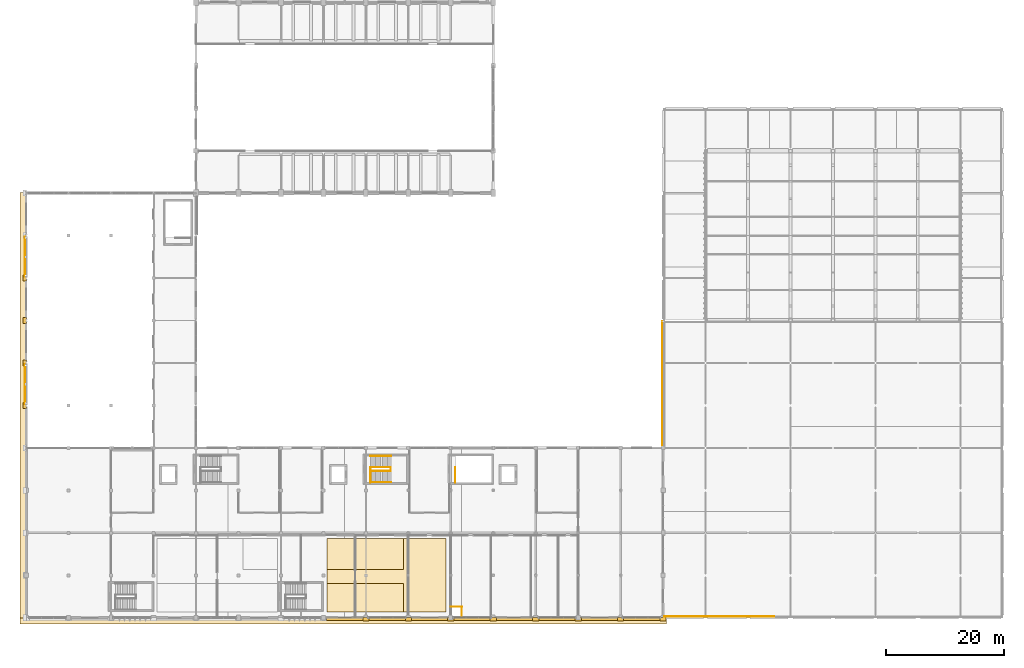
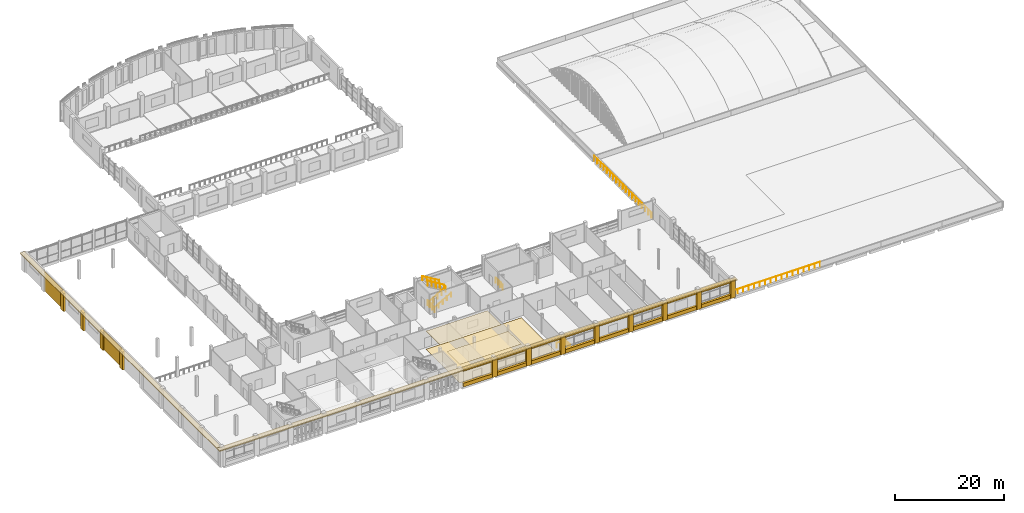
# One storey, part 60 of 71: 35 coverings, 11 railings.
"""IFC4 building model written with IfcOpenShell, lengths in metres."""

from ifc_helpers import new_model, si_unit, direction, frame, frame_2d, origin, origin_2d, place, context, subcontext, project, spatial, polyline, rectangle, circle, outline, extrude, material, layer, layer_set, type_object, element, save


model = new_model("IFC4")

# Units and contexts
model_context = context("Model", 3, precision=1e-05, world=origin(), true_north=direction((0.0, 1.0)))
body_context = subcontext(model_context, "Body", "Model", "MODEL_VIEW")
ifc_project = project(units=[si_unit("LENGTHUNIT", "METRE"), si_unit("AREAUNIT", "SQUARE_METRE"), si_unit("VOLUMEUNIT", "CUBIC_METRE"), si_unit("PLANEANGLEUNIT", "RADIAN"), si_unit("MASSUNIT", "GRAM", prefix="KILO")], contexts=[model_context])

# Site, building, storey
site_placement = place(None, origin())
site = spatial("IfcSite", under=ifc_project, at=site_placement, CompositionType="ELEMENT")
building_placement = place(site_placement, origin())
building = spatial("IfcBuilding", under=site, at=building_placement, Name="Sardonyx Promenade Sports Hall", CompositionType="ELEMENT")
storey_placement = place(building_placement, frame((0.0, 0.0, 16.0)))
storey = spatial("IfcBuildingStorey", under=building, at=storey_placement, Name="L03", CompositionType="ELEMENT", Elevation=16.0)

# Coverings
ifc_material_1 = material(Name="Perforated acoustic mineral-fibre baffle ceiling", Category="other")
ifc_layer_1 = layer(ifc_material_1, 0.0400390625)
ifc_layer_set_1 = layer_set([ifc_layer_1], Name="Cov_Ceil_Acoustic")
covering_type_1 = type_object("IfcCoveringType", Name="Cov_Ceil_Acoustic", PredefinedType="CEILING", material=ifc_layer_set_1)
covering_1_placement = place(storey_placement, frame((0.0, 0.0, 4.10009765625)))
element("IfcCovering", 1, at=covering_1_placement, inside=storey, type_object=covering_type_1, Name="Acoustic baffle ceiling CLG1 L03 #22", PredefinedType="CEILING", context=body_context, shape_type="SweptSolid", body=[
    extrude(outline(polyline([(51.0, 5.800048828125), (51.0, 1.0), (64.0, 1.0), (64.0, 5.800048828125), (51.0, 5.800048828125)])), origin(), (0.0, 0.0, 1.0), 0.039794921875),
])
covering_2_placement = place(storey_placement, frame((0.0, 0.0, 4.090087890625)))
element("IfcCovering", 2, at=covering_2_placement, inside=storey, type_object=covering_type_1, Name="Acoustic baffle ceiling CLG1 L03 #24", PredefinedType="CEILING", context=body_context, shape_type="SweptSolid", body=[
    extrude(outline(polyline([(51.0, 13.39990234375), (51.0, 8.199951171875), (64.0, 8.199951171875), (64.0, 13.39990234375), (51.0, 13.39990234375)])), origin(), (0.0, 0.0, 1.0), 0.039794921875),
])
ifc_material_2 = material(Name="Dressed Cape red sandstone cornice", Category="masonry")
ifc_layer_2 = layer(ifc_material_2, 0.139892578125)
ifc_layer_set_2 = layer_set([ifc_layer_2], Name="Cov_Chhajja_Eave")
covering_type_2 = type_object("IfcCoveringType", Name="Cov_Chhajja_Eave", PredefinedType="MOLDING", material=ifc_layer_set_2)
covering_3_placement = place(storey_placement, frame((0.0, 0.0, 4.050048828125)))
element("IfcCovering", 3, at=covering_3_placement, inside=storey, type_object=covering_type_2, Name="South wing L03 chhajja cornice", PredefinedType="MOLDING", context=body_context, shape_type="SweptSolid", body=[
    extrude(outline(polyline([(-1.050048828125, -1.050048828125), (108.60009765625, -1.050048828125), (108.60009765625, 0.050048828125), (-1.050048828125, 0.050048828125), (-1.050048828125, -1.050048828125)])), origin(), (0.0, 0.0, 1.0), 0.219970703125),
])
covering_4_placement = place(storey_placement, frame((0.0, 0.0, 4.050048828125)))
element("IfcCovering", 4, at=covering_4_placement, inside=storey, type_object=covering_type_2, Name="West climbing L03 chhajja cornice", PredefinedType="MOLDING", context=body_context, shape_type="SweptSolid", body=[
    extrude(outline(polyline([(-1.050048828125, 0.0), (0.050048828125, 0.0), (0.050048828125, 72.10009765625), (-1.050048828125, 72.10009765625), (-1.050048828125, 0.0)])), origin(), (0.0, 0.0, 1.0), 0.219970703125),
])
ifc_material_3 = material(Name="Dressed Cape red sandstone ashlar", Category="masonry")
ifc_layer_3 = layer(ifc_material_3, 0.06005859375)
ifc_layer_set_3 = layer_set([ifc_layer_3], Name="Cov_Cladding_Sandstone")
covering_type_3 = type_object("IfcCoveringType", Name="Cov_Cladding_Sandstone", PredefinedType="CLADDING", material=ifc_layer_set_3)
for number, where, z_axis, x_axis, name in (
    (5, (-0.18505859375, 36.205078125, 0.050048828125), (0.0, 0.0, 1.0), (0.0, 1.0, 0.0), "Dressed sandstone ashlar cladding L03 #163"),
    (6, (-0.18505859375, 57.804931640625, 0.050048828125), (0.0, 0.0, 1.0), (0.0, 1.0, 0.0), "Dressed sandstone ashlar cladding L03 #166"),
):
    element("IfcCovering", number, at=place(storey_placement, frame(where, z_axis=z_axis, x_axis=x_axis)), inside=storey, type_object=covering_type_3, Name=name, PredefinedType="CLADDING", context=body_context, shape_type="SweptSolid", body=[
        extrude(rectangle(XDim=6.7900390625, YDim=0.050048828125, at=frame_2d((3.39501953125, 0.0))), origin(), (0.0, 0.0, 1.0), 4.300048828125),
    ])
covering_5_placement = place(storey_placement, origin())
element("IfcCovering", 7, at=covering_5_placement, inside=storey, type_object=covering_type_3, Name="South sandstone bay pier casing L03 #8", PredefinedType="CLADDING", context=body_context, shape_type="SweptSolid", body=[
    extrude(outline(polyline([(57.080078125, -0.52001953125), (58.1201171875, -0.52001953125), (58.1201171875, 0.02001953125), (57.080078125, 0.02001953125), (57.080078125, -0.52001953125)])), origin(), (0.0, 0.0, 1.0), 4.050048828125),
])
covering_6_placement = place(storey_placement, origin())
element("IfcCovering", 8, at=covering_6_placement, inside=storey, type_object=covering_type_3, Name="South sandstone bay pier casing L03 #9", PredefinedType="CLADDING", context=body_context, shape_type="SweptSolid", body=[
    extrude(outline(polyline([(64.280029296875, -0.52001953125), (65.320068359375, -0.52001953125), (65.320068359375, 0.02001953125), (64.280029296875, 0.02001953125), (64.280029296875, -0.52001953125)])), origin(), (0.0, 0.0, 1.0), 4.050048828125),
])
covering_7_placement = place(storey_placement, origin())
element("IfcCovering", 9, at=covering_7_placement, inside=storey, type_object=covering_type_3, Name="South sandstone bay pier casing L03 #10", PredefinedType="CLADDING", context=body_context, shape_type="SweptSolid", body=[
    extrude(outline(polyline([(71.47998046875, -0.52001953125), (72.52001953125, -0.52001953125), (72.52001953125, 0.02001953125), (71.47998046875, 0.02001953125), (71.47998046875, -0.52001953125)])), origin(), (0.0, 0.0, 1.0), 4.050048828125),
])
covering_8_placement = place(storey_placement, origin())
element("IfcCovering", 10, at=covering_8_placement, inside=storey, type_object=covering_type_3, Name="South sandstone bay pier casing L03 #11", PredefinedType="CLADDING", context=body_context, shape_type="SweptSolid", body=[
    extrude(outline(polyline([(78.679931640625, -0.52001953125), (79.719970703125, -0.52001953125), (79.719970703125, 0.02001953125), (78.679931640625, 0.02001953125), (78.679931640625, -0.52001953125)])), origin(), (0.0, 0.0, 1.0), 4.050048828125),
])
covering_9_placement = place(storey_placement, origin())
element("IfcCovering", 11, at=covering_9_placement, inside=storey, type_object=covering_type_3, Name="South sandstone bay pier casing L03 #12", PredefinedType="CLADDING", context=body_context, shape_type="SweptSolid", body=[
    extrude(outline(polyline([(85.8798828125, -0.52001953125), (86.919921875, -0.52001953125), (86.919921875, 0.02001953125), (85.8798828125, 0.02001953125), (85.8798828125, -0.52001953125)])), origin(), (0.0, 0.0, 1.0), 4.050048828125),
])
covering_10_placement = place(storey_placement, origin())
element("IfcCovering", 12, at=covering_10_placement, inside=storey, type_object=covering_type_3, Name="South sandstone bay pier casing L03 #13", PredefinedType="CLADDING", context=body_context, shape_type="SweptSolid", body=[
    extrude(outline(polyline([(93.080078125, -0.52001953125), (94.1201171875, -0.52001953125), (94.1201171875, 0.02001953125), (93.080078125, 0.02001953125), (93.080078125, -0.52001953125)])), origin(), (0.0, 0.0, 1.0), 4.050048828125),
])
covering_11_placement = place(storey_placement, origin())
element("IfcCovering", 13, at=covering_11_placement, inside=storey, type_object=covering_type_3, Name="South sandstone bay pier casing L03 #14", PredefinedType="CLADDING", context=body_context, shape_type="SweptSolid", body=[
    extrude(outline(polyline([(100.280029296875, -0.52001953125), (101.320068359375, -0.52001953125), (101.320068359375, 0.02001953125), (100.280029296875, 0.02001953125), (100.280029296875, -0.52001953125)])), origin(), (0.0, 0.0, 1.0), 4.050048828125),
])
covering_12_placement = place(storey_placement, origin())
element("IfcCovering", 14, at=covering_12_placement, inside=storey, type_object=covering_type_3, Name="South sandstone bay pier casing L03 #15", PredefinedType="CLADDING", context=body_context, shape_type="SweptSolid", body=[
    extrude(outline(polyline([(107.47998046875, -0.52001953125), (108.52001953125, -0.52001953125), (108.52001953125, 0.02001953125), (107.47998046875, 0.02001953125), (107.47998046875, -0.52001953125)])), origin(), (0.0, 0.0, 1.0), 4.050048828125),
])
covering_13_placement = place(storey_placement, origin())
element("IfcCovering", 15, at=covering_13_placement, inside=storey, type_object=covering_type_3, Name="South sandstone sill spandrel L03 #0", PredefinedType="CLADDING", context=body_context, shape_type="SweptSolid", body=[
    extrude(outline(polyline([(101.320068359375, -0.4599609375), (107.47998046875, -0.4599609375), (107.47998046875, 0.02001953125), (101.320068359375, 0.02001953125), (101.320068359375, -0.4599609375)])), origin(), (0.0, 0.0, 1.0), 0.820068359375),
])
covering_14_placement = place(storey_placement, frame((0.0, 0.0, 3.5)))
element("IfcCovering", 16, at=covering_14_placement, inside=storey, type_object=covering_type_3, Name="South sandstone lintel frieze L03 #0", PredefinedType="CLADDING", context=body_context, shape_type="SweptSolid", body=[
    extrude(outline(polyline([(101.320068359375, -0.4599609375), (107.47998046875, -0.4599609375), (107.47998046875, 0.02001953125), (101.320068359375, 0.02001953125), (101.320068359375, -0.4599609375)])), origin(), (0.0, 0.0, 1.0), 0.550048828125),
])
covering_15_placement = place(storey_placement, origin())
element("IfcCovering", 17, at=covering_15_placement, inside=storey, type_object=covering_type_3, Name="South sandstone sill spandrel L03 #1", PredefinedType="CLADDING", context=body_context, shape_type="SweptSolid", body=[
    extrude(outline(polyline([(94.1201171875, -0.4599609375), (100.280029296875, -0.4599609375), (100.280029296875, 0.02001953125), (94.1201171875, 0.02001953125), (94.1201171875, -0.4599609375)])), origin(), (0.0, 0.0, 1.0), 0.820068359375),
])
covering_16_placement = place(storey_placement, frame((0.0, 0.0, 3.5)))
element("IfcCovering", 18, at=covering_16_placement, inside=storey, type_object=covering_type_3, Name="South sandstone lintel frieze L03 #1", PredefinedType="CLADDING", context=body_context, shape_type="SweptSolid", body=[
    extrude(outline(polyline([(94.1201171875, -0.4599609375), (100.280029296875, -0.4599609375), (100.280029296875, 0.02001953125), (94.1201171875, 0.02001953125), (94.1201171875, -0.4599609375)])), origin(), (0.0, 0.0, 1.0), 0.550048828125),
])
covering_17_placement = place(storey_placement, origin())
element("IfcCovering", 19, at=covering_17_placement, inside=storey, type_object=covering_type_3, Name="South sandstone sill spandrel L03 #2", PredefinedType="CLADDING", context=body_context, shape_type="SweptSolid", body=[
    extrude(outline(polyline([(86.919921875, -0.4599609375), (93.080078125, -0.4599609375), (93.080078125, 0.02001953125), (86.919921875, 0.02001953125), (86.919921875, -0.4599609375)])), origin(), (0.0, 0.0, 1.0), 0.820068359375),
])
covering_18_placement = place(storey_placement, frame((0.0, 0.0, 3.5)))
element("IfcCovering", 20, at=covering_18_placement, inside=storey, type_object=covering_type_3, Name="South sandstone lintel frieze L03 #2", PredefinedType="CLADDING", context=body_context, shape_type="SweptSolid", body=[
    extrude(outline(polyline([(86.919921875, -0.4599609375), (93.080078125, -0.4599609375), (93.080078125, 0.02001953125), (86.919921875, 0.02001953125), (86.919921875, -0.4599609375)])), origin(), (0.0, 0.0, 1.0), 0.550048828125),
])
covering_19_placement = place(storey_placement, origin())
element("IfcCovering", 21, at=covering_19_placement, inside=storey, type_object=covering_type_3, Name="South sandstone sill spandrel L03 #3", PredefinedType="CLADDING", context=body_context, shape_type="SweptSolid", body=[
    extrude(outline(polyline([(79.719970703125, -0.4599609375), (85.8798828125, -0.4599609375), (85.8798828125, 0.02001953125), (79.719970703125, 0.02001953125), (79.719970703125, -0.4599609375)])), origin(), (0.0, 0.0, 1.0), 0.820068359375),
])
covering_20_placement = place(storey_placement, frame((0.0, 0.0, 3.5)))
element("IfcCovering", 22, at=covering_20_placement, inside=storey, type_object=covering_type_3, Name="South sandstone lintel frieze L03 #3", PredefinedType="CLADDING", context=body_context, shape_type="SweptSolid", body=[
    extrude(outline(polyline([(79.719970703125, -0.4599609375), (85.8798828125, -0.4599609375), (85.8798828125, 0.02001953125), (79.719970703125, 0.02001953125), (79.719970703125, -0.4599609375)])), origin(), (0.0, 0.0, 1.0), 0.550048828125),
])
covering_21_placement = place(storey_placement, origin())
element("IfcCovering", 23, at=covering_21_placement, inside=storey, type_object=covering_type_3, Name="South sandstone sill spandrel L03 #4", PredefinedType="CLADDING", context=body_context, shape_type="SweptSolid", body=[
    extrude(outline(polyline([(72.52001953125, -0.4599609375), (78.679931640625, -0.4599609375), (78.679931640625, 0.02001953125), (72.52001953125, 0.02001953125), (72.52001953125, -0.4599609375)])), origin(), (0.0, 0.0, 1.0), 0.820068359375),
])
covering_22_placement = place(storey_placement, frame((0.0, 0.0, 3.5)))
element("IfcCovering", 24, at=covering_22_placement, inside=storey, type_object=covering_type_3, Name="South sandstone lintel frieze L03 #4", PredefinedType="CLADDING", context=body_context, shape_type="SweptSolid", body=[
    extrude(outline(polyline([(72.52001953125, -0.4599609375), (78.679931640625, -0.4599609375), (78.679931640625, 0.02001953125), (72.52001953125, 0.02001953125), (72.52001953125, -0.4599609375)])), origin(), (0.0, 0.0, 1.0), 0.550048828125),
])
covering_23_placement = place(storey_placement, origin())
element("IfcCovering", 25, at=covering_23_placement, inside=storey, type_object=covering_type_3, Name="South sandstone sill spandrel L03 #5", PredefinedType="CLADDING", context=body_context, shape_type="SweptSolid", body=[
    extrude(outline(polyline([(65.320068359375, -0.4599609375), (71.47998046875, -0.4599609375), (71.47998046875, 0.02001953125), (65.320068359375, 0.02001953125), (65.320068359375, -0.4599609375)])), origin(), (0.0, 0.0, 1.0), 0.820068359375),
])
covering_24_placement = place(storey_placement, frame((0.0, 0.0, 3.5)))
element("IfcCovering", 26, at=covering_24_placement, inside=storey, type_object=covering_type_3, Name="South sandstone lintel frieze L03 #5", PredefinedType="CLADDING", context=body_context, shape_type="SweptSolid", body=[
    extrude(outline(polyline([(65.320068359375, -0.4599609375), (71.47998046875, -0.4599609375), (71.47998046875, 0.02001953125), (65.320068359375, 0.02001953125), (65.320068359375, -0.4599609375)])), origin(), (0.0, 0.0, 1.0), 0.550048828125),
])
covering_25_placement = place(storey_placement, origin())
element("IfcCovering", 27, at=covering_25_placement, inside=storey, type_object=covering_type_3, Name="South sandstone sill spandrel L03 #6", PredefinedType="CLADDING", context=body_context, shape_type="SweptSolid", body=[
    extrude(outline(polyline([(58.1201171875, -0.4599609375), (64.280029296875, -0.4599609375), (64.280029296875, 0.02001953125), (58.1201171875, 0.02001953125), (58.1201171875, -0.4599609375)])), origin(), (0.0, 0.0, 1.0), 0.820068359375),
])
covering_26_placement = place(storey_placement, frame((0.0, 0.0, 3.5)))
element("IfcCovering", 28, at=covering_26_placement, inside=storey, type_object=covering_type_3, Name="South sandstone lintel frieze L03 #6", PredefinedType="CLADDING", context=body_context, shape_type="SweptSolid", body=[
    extrude(outline(polyline([(58.1201171875, -0.4599609375), (64.280029296875, -0.4599609375), (64.280029296875, 0.02001953125), (58.1201171875, 0.02001953125), (58.1201171875, -0.4599609375)])), origin(), (0.0, 0.0, 1.0), 0.550048828125),
])
covering_27_placement = place(storey_placement, origin())
element("IfcCovering", 29, at=covering_27_placement, inside=storey, type_object=covering_type_3, Name="South sandstone sill spandrel L03 #7", PredefinedType="CLADDING", context=body_context, shape_type="SweptSolid", body=[
    extrude(outline(polyline([(50.919921875, -0.4599609375), (57.080078125, -0.4599609375), (57.080078125, 0.02001953125), (50.919921875, 0.02001953125), (50.919921875, -0.4599609375)])), origin(), (0.0, 0.0, 1.0), 0.820068359375),
])
covering_28_placement = place(storey_placement, frame((0.0, 0.0, 3.5)))
element("IfcCovering", 30, at=covering_28_placement, inside=storey, type_object=covering_type_3, Name="South sandstone lintel frieze L03 #7", PredefinedType="CLADDING", context=body_context, shape_type="SweptSolid", body=[
    extrude(outline(polyline([(50.919921875, -0.4599609375), (57.080078125, -0.4599609375), (57.080078125, 0.02001953125), (50.919921875, 0.02001953125), (50.919921875, -0.4599609375)])), origin(), (0.0, 0.0, 1.0), 0.550048828125),
])
covering_29_placement = place(storey_placement, origin())
element("IfcCovering", 31, at=covering_29_placement, inside=storey, type_object=covering_type_3, Name="West sandstone pier casing L03 #5", PredefinedType="CLADDING", context=body_context, shape_type="SweptSolid", body=[
    extrude(outline(polyline([(-0.5, 35.47998046875), (0.02001953125, 35.47998046875), (0.02001953125, 36.52001953125), (-0.5, 36.52001953125), (-0.5, 35.47998046875)])), origin(), (0.0, 0.0, 1.0), 4.050048828125),
])
covering_30_placement = place(storey_placement, origin())
element("IfcCovering", 32, at=covering_30_placement, inside=storey, type_object=covering_type_3, Name="West sandstone pier casing L03 #6", PredefinedType="CLADDING", context=body_context, shape_type="SweptSolid", body=[
    extrude(outline(polyline([(-0.5, 42.679931640625), (0.02001953125, 42.679931640625), (0.02001953125, 43.719970703125), (-0.5, 43.719970703125), (-0.5, 42.679931640625)])), origin(), (0.0, 0.0, 1.0), 4.050048828125),
])
covering_31_placement = place(storey_placement, origin())
element("IfcCovering", 33, at=covering_31_placement, inside=storey, type_object=covering_type_3, Name="West sandstone pier casing L03 #7", PredefinedType="CLADDING", context=body_context, shape_type="SweptSolid", body=[
    extrude(outline(polyline([(-0.5, 49.8798828125), (0.02001953125, 49.8798828125), (0.02001953125, 50.919921875), (-0.5, 50.919921875), (-0.5, 49.8798828125)])), origin(), (0.0, 0.0, 1.0), 4.050048828125),
])
covering_32_placement = place(storey_placement, origin())
element("IfcCovering", 34, at=covering_32_placement, inside=storey, type_object=covering_type_3, Name="West sandstone pier casing L03 #8", PredefinedType="CLADDING", context=body_context, shape_type="SweptSolid", body=[
    extrude(outline(polyline([(-0.5, 57.080078125), (0.02001953125, 57.080078125), (0.02001953125, 58.1201171875), (-0.5, 58.1201171875), (-0.5, 57.080078125)])), origin(), (0.0, 0.0, 1.0), 4.050048828125),
])
ifc_material_4 = material(Name="FIBA Grade 1 sprung maple hardwood court flooring", Category="wood")
ifc_layer_4 = layer(ifc_material_4, 0.044921875)
ifc_layer_set_4 = layer_set([ifc_layer_4], Name="Cov_Floor_Maple")
covering_type_4 = type_object("IfcCoveringType", Name="Cov_Floor_Maple", PredefinedType="FLOORING", material=ifc_layer_set_4)
covering_33_placement = place(storey_placement, origin())
element("IfcCovering", 35, at=covering_33_placement, inside=storey, type_object=covering_type_4, Name="Athletic flooring FLR1 L03 #12", PredefinedType="FLOORING", context=body_context, shape_type="SweptSolid", body=[
    extrude(outline(polyline([(51.0, 1.0), (71.199951171875, 1.0), (71.199951171875, 13.39990234375), (51.0, 13.39990234375), (51.0, 1.0)])), origin(), (0.0, 0.0, 1.0), 0.044921875),
])

# Railings
ifc_material_5 = material(Name="Galvanised and powder-coated Steel S355JR", Category="steel")
railing_type_1 = type_object("IfcRailingType", Name="Rail_Ext_Guard_1100", PredefinedType="GUARDRAIL", material=ifc_material_5)
for number, where, name in (
    (36, (108.199951171875, 0.199951171875, 0.0), "Terrace guardrail GR01 L03 #7"),
    (37, (117.5, 0.199951171875, 0.0), "Terrace guardrail GR01 L03 #8"),
):
    element("IfcRailing", number, at=place(storey_placement, frame(where)), inside=storey, type_object=railing_type_1, Name=name, PredefinedType="GUARDRAIL", context=body_context, shape_type="SweptSolid", body=[
        extrude(circle(Radius=0.02392578125, at=origin_2d()), frame((0.0, 0.0, 1.0810546875), z_axis=(1.0, 0.0, 0.0), x_axis=(0.0, 1.0, 0.0)), (0.0, 0.0, 1.0), 9.300048828125),
        extrude(circle(Radius=0.02099609375, at=origin_2d()), origin(), (0.0, 0.0, 1.0), 1.056884765625),
        extrude(circle(Radius=0.02099609375, at=origin_2d()), frame((1.16259765625, 0.0, 0.0)), (0.0, 0.0, 1.0), 1.056884765625),
        extrude(circle(Radius=0.02099609375, at=origin_2d()), frame((2.324951171875, 0.0, 0.0)), (0.0, 0.0, 1.0), 1.056884765625),
        extrude(circle(Radius=0.02099609375, at=origin_2d()), frame((3.487548828125, 0.0, 0.0)), (0.0, 0.0, 1.0), 1.056884765625),
        extrude(circle(Radius=0.02099609375, at=origin_2d()), frame((4.64990234375, 0.0, 0.0)), (0.0, 0.0, 1.0), 1.056884765625),
        extrude(circle(Radius=0.02099609375, at=origin_2d()), frame((5.8125, 0.0, 0.0)), (0.0, 0.0, 1.0), 1.056884765625),
        extrude(circle(Radius=0.02099609375, at=origin_2d()), frame((6.97509765625, 0.0, 0.0)), (0.0, 0.0, 1.0), 1.056884765625),
        extrude(circle(Radius=0.02099609375, at=origin_2d()), frame((8.137451171875, 0.0, 0.0)), (0.0, 0.0, 1.0), 1.056884765625),
        extrude(circle(Radius=0.02099609375, at=origin_2d()), frame((9.300048828125, 0.0, 0.0)), (0.0, 0.0, 1.0), 1.056884765625),
    ])
ifc_material_6 = material(Name="Powder-coated Steel S355JR", Category="steel")
railing_type_2 = type_object("IfcRailingType", Name="Rail_Int_Guard_1100", PredefinedType="GUARDRAIL", material=ifc_material_6)
railing_1_placement = place(storey_placement, frame((58.360107421875, 22.945068359375, 0.0)))
element("IfcRailing", 38, at=railing_1_placement, inside=storey, type_object=railing_type_2, Name="Stair floor-edge guard ST3 L03", PredefinedType="GUARDRAIL", context=body_context, shape_type="SweptSolid", body=[
    extrude(circle(Radius=0.02392578125, at=origin_2d()), frame((0.0, 0.0, 1.09619140625), z_axis=(0.0, 1.0, 0.0), x_axis=(-1.0, 0.0, 0.0)), (0.0, 0.0, 1.0), 2.56982421875),
    extrude(circle(Radius=0.02392578125, at=origin_2d()), frame((0.0, 2.56982421875, 1.09619140625), z_axis=(-1.0, 0.0, 0.0), x_axis=(0.0, -1.0, 0.0)), (0.0, 0.0, 1.0), 0.010009765625),
    extrude(circle(Radius=0.02099609375, at=origin_2d()), origin(), (0.0, 0.0, 1.0), 1.072021484375),
    extrude(circle(Radius=0.02099609375, at=origin_2d()), frame((0.0, 0.856689453125, 0.0)), (0.0, 0.0, 1.0), 1.072021484375),
    extrude(circle(Radius=0.02099609375, at=origin_2d()), frame((0.0, 1.713134765625, 0.0)), (0.0, 0.0, 1.0), 1.072021484375),
    extrude(circle(Radius=0.02099609375, at=origin_2d()), frame((0.0, 2.56982421875, 0.0)), (0.0, 0.0, 1.0), 1.072021484375),
    extrude(circle(Radius=0.02099609375, at=origin_2d()), frame((-0.010009765625, 2.56982421875, 0.0)), (0.0, 0.0, 1.0), 1.072021484375),
])
railing_2_placement = place(storey_placement, frame((58.35009765625, 24.885009765625, 0.169189453125)))
element("IfcRailing", 39, at=railing_2_placement, inside=storey, type_object=railing_type_2, Name="Stair inner well guard ST3 L03", PredefinedType="GUARDRAIL", context=body_context, shape_type="SweptSolid", body=[
    extrude(circle(Radius=0.02392578125, at=origin_2d()), frame((0.0, 0.0, 1.09619140625), z_axis=(0.863695377172, 0.0, 0.504014181796), x_axis=(0.0, 1.0, 0.0)), (0.0, 0.0, 1.0), 4.029296875),
    extrude(circle(Radius=0.02392578125, at=origin_2d()), frame((3.47998046875, 0.0, 3.126953125), z_axis=(0.0, 1.0, 0.0), x_axis=(-1.0, 0.0, 0.0)), (0.0, 0.0, 1.0), 0.6298828125),
    extrude(circle(Radius=0.02392578125, at=origin_2d()), frame((3.47998046875, 0.6298828125, 3.126953125), z_axis=(-0.845261960257, 0.0, 0.534352148441), x_axis=(0.0, -1.0, 0.0)), (0.0, 0.0, 1.0), 4.116943359375),
    extrude(circle(Radius=0.02099609375, at=origin_2d()), origin(), (0.0, 0.0, 1.0), 1.072021484375),
    extrude(circle(Radius=0.02099609375, at=origin_2d()), frame((0.8701171875, 0.0, 0.5078125)), (0.0, 0.0, 1.0), 1.072021484375),
    extrude(circle(Radius=0.02099609375, at=origin_2d()), frame((1.739990234375, 0.0, 1.015380859375)), (0.0, 0.0, 1.0), 1.072021484375),
    extrude(circle(Radius=0.02099609375, at=origin_2d()), frame((2.60986328125, 0.0, 1.52294921875)), (0.0, 0.0, 1.0), 1.072021484375),
    extrude(circle(Radius=0.02099609375, at=origin_2d()), frame((3.47998046875, 0.0, 2.03076171875)), (0.0, 0.0, 1.0), 1.072021484375),
    extrude(circle(Radius=0.02099609375, at=origin_2d()), frame((3.47998046875, 0.6298828125, 2.03076171875)), (0.0, 0.0, 1.0), 1.072021484375),
    extrude(circle(Radius=0.02099609375, at=origin_2d()), frame((2.60986328125, 0.6298828125, 2.580810546875)), (0.0, 0.0, 1.0), 1.072021484375),
    extrude(circle(Radius=0.02099609375, at=origin_2d()), frame((1.739990234375, 0.6298828125, 3.130859375)), (0.0, 0.0, 1.0), 1.072021484375),
    extrude(circle(Radius=0.02099609375, at=origin_2d()), frame((0.8701171875, 0.6298828125, 3.6806640625)), (0.0, 0.0, 1.0), 1.072021484375),
    extrude(circle(Radius=0.02099609375, at=origin_2d()), frame((0.0, 0.6298828125, 4.230712890625)), (0.0, 0.0, 1.0), 1.072021484375),
])
railing_3_placement = place(storey_placement, frame((72.760009765625, 22.945068359375, 0.0)))
element("IfcRailing", 40, at=railing_3_placement, inside=storey, type_object=railing_type_2, Name="Stair floor-edge guard ST4 L03", PredefinedType="GUARDRAIL", context=body_context, shape_type="SweptSolid", body=[
    extrude(circle(Radius=0.02392578125, at=origin_2d()), frame((0.0, 0.0, 1.09619140625), z_axis=(0.0, 1.0, 0.0), x_axis=(-1.0, 0.0, 0.0)), (0.0, 0.0, 1.0), 2.56982421875),
    extrude(circle(Radius=0.02392578125, at=origin_2d()), frame((0.0, 2.56982421875, 1.09619140625), z_axis=(-1.0, 0.0, 0.0), x_axis=(0.0, -1.0, 0.0)), (0.0, 0.0, 1.0), 0.010009765625),
    extrude(circle(Radius=0.02099609375, at=origin_2d()), origin(), (0.0, 0.0, 1.0), 1.072021484375),
    extrude(circle(Radius=0.02099609375, at=origin_2d()), frame((0.0, 0.856689453125, 0.0)), (0.0, 0.0, 1.0), 1.072021484375),
    extrude(circle(Radius=0.02099609375, at=origin_2d()), frame((0.0, 1.713134765625, 0.0)), (0.0, 0.0, 1.0), 1.072021484375),
    extrude(circle(Radius=0.02099609375, at=origin_2d()), frame((0.0, 2.56982421875, 0.0)), (0.0, 0.0, 1.0), 1.072021484375),
    extrude(circle(Radius=0.02099609375, at=origin_2d()), frame((-0.010009765625, 2.56982421875, 0.0)), (0.0, 0.0, 1.0), 1.072021484375),
])
railing_4_placement = place(storey_placement, frame((72.030029296875, 1.8701171875, 0.0)))
element("IfcRailing", 41, at=railing_4_placement, inside=storey, type_object=railing_type_2, Name="Deck-edge guardrail GR02 L03 #55", PredefinedType="GUARDRAIL", context=body_context, shape_type="SweptSolid", body=[
    extrude(circle(Radius=0.02392578125, at=origin_2d()), frame((0.0, 0.0, 1.09619140625), z_axis=(1.0, 0.0, 0.0), x_axis=(0.0, 1.0, 0.0)), (0.0, 0.0, 1.0), 1.849853515625),
    extrude(circle(Radius=0.02099609375, at=origin_2d()), origin(), (0.0, 0.0, 1.0), 1.072021484375),
    extrude(circle(Radius=0.02099609375, at=origin_2d()), frame((0.9248046875, 0.0, 0.0)), (0.0, 0.0, 1.0), 1.072021484375),
    extrude(circle(Radius=0.02099609375, at=origin_2d()), frame((1.849853515625, 0.0, 0.0)), (0.0, 0.0, 1.0), 1.072021484375),
])
railing_5_placement = place(storey_placement, frame((73.8701171875, 1.8798828125, 0.0)))
element("IfcRailing", 42, at=railing_5_placement, inside=storey, type_object=railing_type_2, Name="Deck-edge guardrail GR02 L03 #56", PredefinedType="GUARDRAIL", context=body_context, shape_type="SweptSolid", body=[
    extrude(circle(Radius=0.02392578125, at=origin_2d()), frame((0.0, 0.0, 1.09619140625), z_axis=(0.0, -1.0, 0.0), x_axis=(1.0, 0.0, 0.0)), (0.0, 0.0, 1.0), 1.679931640625),
    extrude(circle(Radius=0.02099609375, at=origin_2d()), origin(), (0.0, 0.0, 1.0), 1.072021484375),
    extrude(circle(Radius=0.02099609375, at=origin_2d()), frame((0.0, -0.83984375, 0.0)), (0.0, 0.0, 1.0), 1.072021484375),
    extrude(circle(Radius=0.02099609375, at=origin_2d()), frame((0.0, -1.679931640625, 0.0)), (0.0, 0.0, 1.0), 1.072021484375),
])
railing_6_placement = place(storey_placement, frame((107.8701171875, 50.22998046875, 0.0)))
element("IfcRailing", 43, at=railing_6_placement, inside=storey, type_object=railing_type_2, Name="Deck-edge guardrail GR02 L03 #60", PredefinedType="GUARDRAIL", context=body_context, shape_type="SweptSolid", body=[
    extrude(circle(Radius=0.02392578125, at=origin_2d()), frame((0.0, 0.0, 1.09619140625), z_axis=(0.0, -1.0, 0.0), x_axis=(1.0, 0.0, 0.0)), (0.0, 0.0, 1.0), 10.514892578125),
    extrude(circle(Radius=0.02099609375, at=origin_2d()), origin(), (0.0, 0.0, 1.0), 1.072021484375),
    extrude(circle(Radius=0.02099609375, at=origin_2d()), frame((0.0, -1.168212890625, 0.0)), (0.0, 0.0, 1.0), 1.072021484375),
    extrude(circle(Radius=0.02099609375, at=origin_2d()), frame((0.0, -2.336669921875, 0.0)), (0.0, 0.0, 1.0), 1.072021484375),
    extrude(circle(Radius=0.02099609375, at=origin_2d()), frame((0.0, -3.5048828125, 0.0)), (0.0, 0.0, 1.0), 1.072021484375),
    extrude(circle(Radius=0.02099609375, at=origin_2d()), frame((0.0, -4.67333984375, 0.0)), (0.0, 0.0, 1.0), 1.072021484375),
    extrude(circle(Radius=0.02099609375, at=origin_2d()), frame((0.0, -5.841552734375, 0.0)), (0.0, 0.0, 1.0), 1.072021484375),
    extrude(circle(Radius=0.02099609375, at=origin_2d()), frame((0.0, -7.010009765625, 0.0)), (0.0, 0.0, 1.0), 1.072021484375),
    extrude(circle(Radius=0.02099609375, at=origin_2d()), frame((0.0, -8.17822265625, 0.0)), (0.0, 0.0, 1.0), 1.072021484375),
    extrude(circle(Radius=0.02099609375, at=origin_2d()), frame((0.0, -9.3466796875, 0.0)), (0.0, 0.0, 1.0), 1.072021484375),
    extrude(circle(Radius=0.02099609375, at=origin_2d()), frame((0.0, -10.514892578125, 0.0)), (0.0, 0.0, 1.0), 1.072021484375),
])
railing_7_placement = place(storey_placement, frame((107.8701171875, 39.715087890625, 0.0)))
element("IfcRailing", 44, at=railing_7_placement, inside=storey, type_object=railing_type_2, Name="Deck-edge guardrail GR02 L03 #61", PredefinedType="GUARDRAIL", context=body_context, shape_type="SweptSolid", body=[
    extrude(circle(Radius=0.02392578125, at=origin_2d()), frame((0.0, 0.0, 1.09619140625), z_axis=(0.0, -1.0, 0.0), x_axis=(1.0, 0.0, 0.0)), (0.0, 0.0, 1.0), 10.51513671875),
    extrude(circle(Radius=0.02099609375, at=origin_2d()), origin(), (0.0, 0.0, 1.0), 1.072021484375),
    extrude(circle(Radius=0.02099609375, at=origin_2d()), frame((0.0, -1.16845703125, 0.0)), (0.0, 0.0, 1.0), 1.072021484375),
    extrude(circle(Radius=0.02099609375, at=origin_2d()), frame((0.0, -2.336669921875, 0.0)), (0.0, 0.0, 1.0), 1.072021484375),
    extrude(circle(Radius=0.02099609375, at=origin_2d()), frame((0.0, -3.505126953125, 0.0)), (0.0, 0.0, 1.0), 1.072021484375),
    extrude(circle(Radius=0.02099609375, at=origin_2d()), frame((0.0, -4.67333984375, 0.0)), (0.0, 0.0, 1.0), 1.072021484375),
    extrude(circle(Radius=0.02099609375, at=origin_2d()), frame((0.0, -5.841796875, 0.0)), (0.0, 0.0, 1.0), 1.072021484375),
    extrude(circle(Radius=0.02099609375, at=origin_2d()), frame((0.0, -7.010009765625, 0.0)), (0.0, 0.0, 1.0), 1.072021484375),
    extrude(circle(Radius=0.02099609375, at=origin_2d()), frame((0.0, -8.178466796875, 0.0)), (0.0, 0.0, 1.0), 1.072021484375),
    extrude(circle(Radius=0.02099609375, at=origin_2d()), frame((0.0, -9.3466796875, 0.0)), (0.0, 0.0, 1.0), 1.072021484375),
    extrude(circle(Radius=0.02099609375, at=origin_2d()), frame((0.0, -10.51513671875, 0.0)), (0.0, 0.0, 1.0), 1.072021484375),
])
ifc_material_7 = material(Name="Brushed stainless steel Grade 304", Category="steel")
railing_type_3 = type_object("IfcRailingType", Name="Rail_Int_Handrail_900", PredefinedType="HANDRAIL", material=ifc_material_7)
railing_8_placement = place(storey_placement, frame((58.35009765625, 22.97509765625, 0.169189453125)))
element("IfcRailing", 45, at=railing_8_placement, inside=storey, type_object=railing_type_3, Name="Stair handrail ST3 L03 F1", PredefinedType="HANDRAIL", context=body_context, shape_type="SweptSolid", body=[
    extrude(circle(Radius=0.02392578125, at=origin_2d()), frame((0.0, 0.0, 0.8759765625), z_axis=(0.864949480274, 0.0, 0.501858940912), x_axis=(0.0, 1.0, 0.0)), (0.0, 0.0, 1.0), 4.04638671875),
    extrude(circle(Radius=0.02099609375, at=origin_2d()), origin(), (0.0, 0.0, 1.0), 0.851806640625),
    extrude(circle(Radius=0.02099609375, at=origin_2d()), frame((0.875, 0.0, 0.5078125)), (0.0, 0.0, 1.0), 0.851806640625),
    extrude(circle(Radius=0.02099609375, at=origin_2d()), frame((1.75, 0.0, 1.015380859375)), (0.0, 0.0, 1.0), 0.851806640625),
    extrude(circle(Radius=0.02099609375, at=origin_2d()), frame((2.625, 0.0, 1.52294921875)), (0.0, 0.0, 1.0), 0.851806640625),
    extrude(circle(Radius=0.02099609375, at=origin_2d()), frame((3.5, 0.0, 2.03076171875)), (0.0, 0.0, 1.0), 0.851806640625),
])
railing_9_placement = place(storey_placement, frame((61.85009765625, 27.425048828125, 2.369140625)))
element("IfcRailing", 46, at=railing_9_placement, inside=storey, type_object=railing_type_3, Name="Stair handrail ST3 L03 F2", PredefinedType="HANDRAIL", context=body_context, shape_type="SweptSolid", body=[
    extrude(circle(Radius=0.02392578125, at=origin_2d()), frame((0.0, 0.0, 0.8759765625), z_axis=(-0.864949480274, 0.0, 0.501858940912), x_axis=(0.0, -1.0, 0.0)), (0.0, 0.0, 1.0), 4.04638671875),
    extrude(circle(Radius=0.02099609375, at=origin_2d()), origin(), (0.0, 0.0, 1.0), 0.851806640625),
    extrude(circle(Radius=0.02099609375, at=origin_2d()), frame((-0.875, 0.0, 0.5078125)), (0.0, 0.0, 1.0), 0.851806640625),
    extrude(circle(Radius=0.02099609375, at=origin_2d()), frame((-1.75, 0.0, 1.015380859375)), (0.0, 0.0, 1.0), 0.851806640625),
    extrude(circle(Radius=0.02099609375, at=origin_2d()), frame((-2.625, 0.0, 1.52294921875)), (0.0, 0.0, 1.0), 0.851806640625),
    extrude(circle(Radius=0.02099609375, at=origin_2d()), frame((-3.5, 0.0, 2.03076171875)), (0.0, 0.0, 1.0), 0.851806640625),
])

save(model, "model.ifc")
